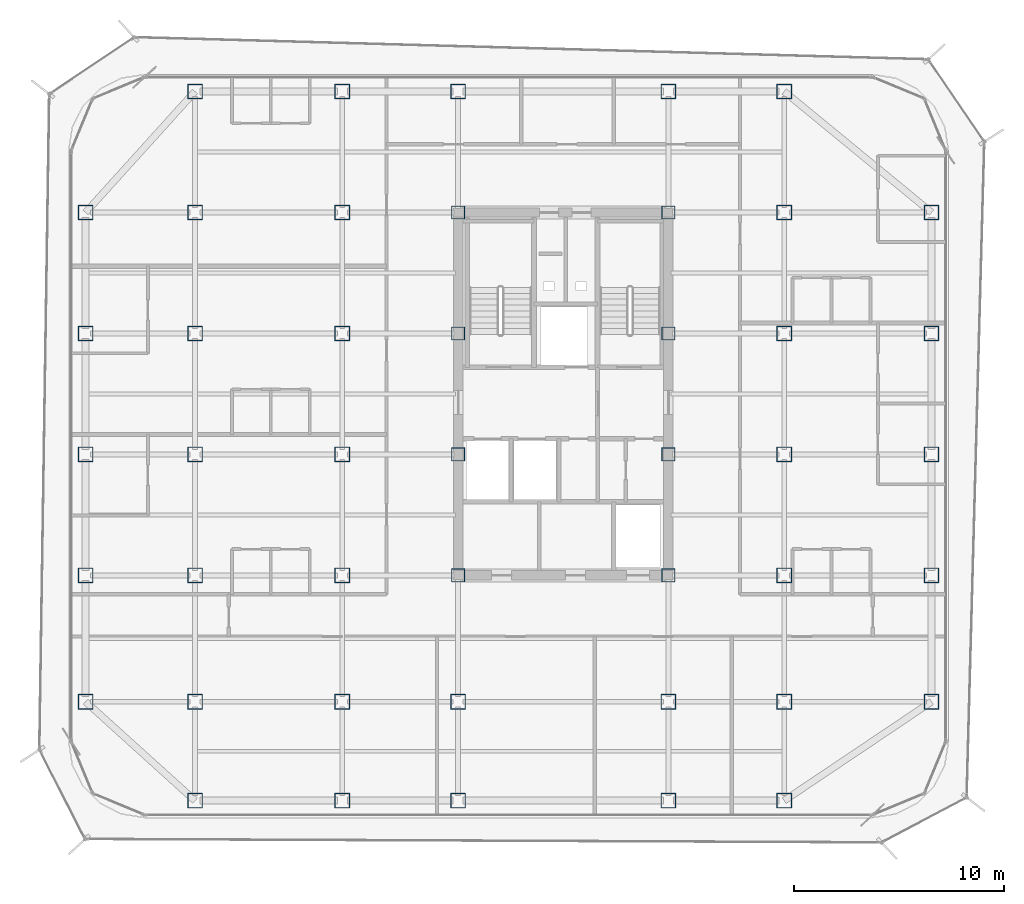
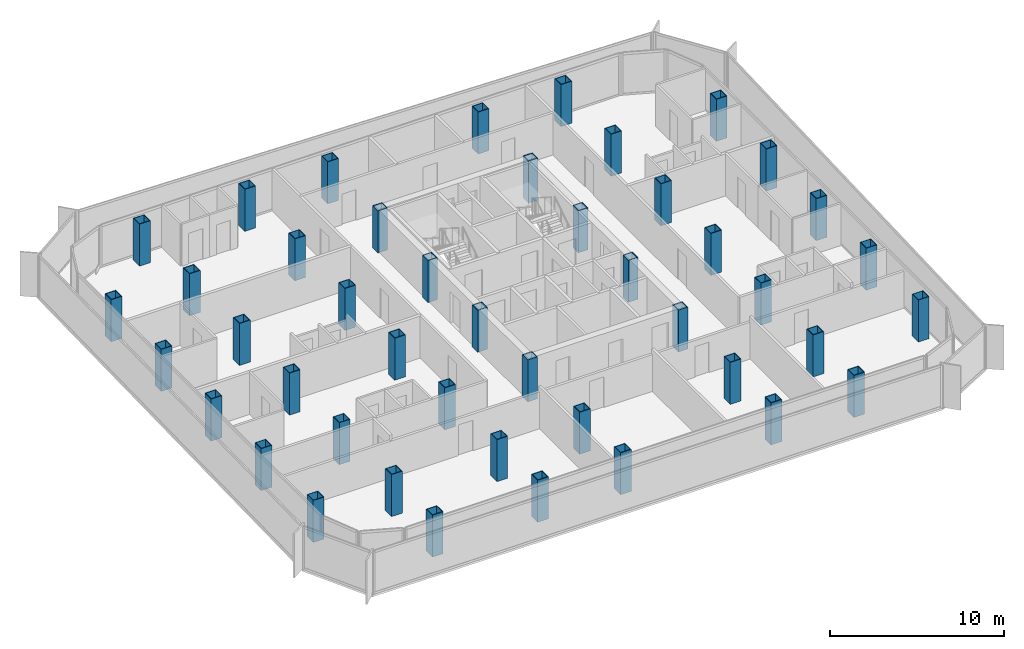
# One storey, part 1 of 15: 45 columns.
"""IFC4 building model written with IfcOpenShell, lengths in metres."""

from ifc_helpers import new_model, si_unit, direction, frame, origin, origin_2d, place, context, subcontext, project, spatial, hollow_rectangle, extrude, source, transform, mapped, material, material_profile, profile_set, type_object, element, save


model = new_model("IFC4")

# Units and contexts
model_context = context("Model", 3, precision=1e-05, world=origin(), true_north=direction((0.0, 1.0)))
body_context = subcontext(model_context, "Body", "Model", "MODEL_VIEW")
ifc_project = project(units=[si_unit("LENGTHUNIT", "METRE"), si_unit("AREAUNIT", "SQUARE_METRE"), si_unit("VOLUMEUNIT", "CUBIC_METRE"), si_unit("PLANEANGLEUNIT", "RADIAN"), si_unit("MASSUNIT", "GRAM", prefix="KILO")], contexts=[model_context])

# Site, building, storey
site_placement = place(None, origin())
site = spatial("IfcSite", under=ifc_project, at=site_placement, CompositionType="ELEMENT")
building_placement = place(site_placement, origin())
building = spatial("IfcBuilding", under=site, at=building_placement, Name="Kolveth Station Tower", CompositionType="ELEMENT")
storey_placement = place(building_placement, frame((0.0, 0.0, 193.199951171875)))
storey = spatial("IfcBuildingStorey", under=building, at=storey_placement, Name="L54", CompositionType="ELEMENT", Elevation=193.199951171875)

# Columns
ifc_material = material(Name="Steel S355", Category="steel")
ifc_material_profile_1 = material_profile(ifc_material, hollow_rectangle(XDim=0.719970703125, YDim=0.719970703125, WallThickness=0.0400390625, at=origin_2d()), Name="BOX720x720x40")
ifc_profile_set_1 = profile_set([ifc_material_profile_1], Name="Steel S355")
column_type_1 = type_object("IfcColumnType", Name="Col_C6", PredefinedType="COLUMN", material=ifc_profile_set_1)
shared_shape_1 = source(origin(), body_context, "Body", "SweptSolid", [
    extrude(hollow_rectangle(XDim=0.719970703125, YDim=0.719970703125, WallThickness=0.0400390625, at=origin_2d()), origin(), (0.0, 0.0, 1.0), 2.949951171875),
])
for number, where, z_axis, x_axis, name in (
    (1, (6.0, 0.800048828125, 0.0), (0.0, 0.0, 1.0), (1.0, 0.0, 0.0), "L54 Tower Column S-X60"),
    (2, (6.0, 34.5, 0.0), (0.0, 0.0, 1.0), (1.0, 0.0, 0.0), "L54 Tower Column N-X60"),
    (3, (13.0, 0.800048828125, 0.0), (0.0, 0.0, 1.0), (1.0, 0.0, 0.0), "L54 Tower Column S-X130"),
    (4, (13.0, 34.5, 0.0), (0.0, 0.0, 1.0), (1.0, 0.0, 0.0), "L54 Tower Column N-X130"),
    (5, (18.5, 0.800048828125, 0.0), (0.0, 0.0, 1.0), (1.0, 0.0, 0.0), "L54 Tower Column S-X185"),
    (6, (18.5, 34.5, 0.0), (0.0, 0.0, 1.0), (1.0, 0.0, 0.0), "L54 Tower Column N-X185"),
    (7, (28.5, 0.800048828125, 0.0), (0.0, 0.0, 1.0), (1.0, 0.0, 0.0), "L54 Tower Column S-X285"),
    (8, (28.5, 34.5, 0.0), (0.0, 0.0, 1.0), (1.0, 0.0, 0.0), "L54 Tower Column N-X285"),
    (9, (34.0, 0.800048828125, 0.0), (0.0, 0.0, 1.0), (1.0, 0.0, 0.0), "L54 Tower Column S-X340"),
    (10, (34.0, 34.5, 0.0), (0.0, 0.0, 1.0), (1.0, 0.0, 0.0), "L54 Tower Column N-X340"),
    (11, (0.800048828125, 5.5, 0.0), (0.0, 0.0, 1.0), (1.0, 0.0, 0.0), "L54 Tower Column W-Y55"),
    (12, (41.0, 5.5, 0.0), (0.0, 0.0, 1.0), (1.0, 0.0, 0.0), "L54 Tower Column E-Y55"),
    (13, (0.800048828125, 11.5, 0.0), (0.0, 0.0, 1.0), (1.0, 0.0, 0.0), "L54 Tower Column W-Y115"),
    (14, (41.0, 11.5, 0.0), (0.0, 0.0, 1.0), (1.0, 0.0, 0.0), "L54 Tower Column E-Y115"),
    (15, (0.800048828125, 17.25, 0.0), (0.0, 0.0, 1.0), (1.0, 0.0, 0.0), "L54 Tower Column W-Y172"),
    (16, (41.0, 17.25, 0.0), (0.0, 0.0, 1.0), (1.0, 0.0, 0.0), "L54 Tower Column E-Y172"),
    (17, (0.800048828125, 23.0, 0.0), (0.0, 0.0, 1.0), (1.0, 0.0, 0.0), "L54 Tower Column W-Y230"),
    (18, (41.0, 23.0, 0.0), (0.0, 0.0, 1.0), (1.0, 0.0, 0.0), "L54 Tower Column E-Y230"),
    (19, (0.800048828125, 28.75, 0.0), (0.0, 0.0, 1.0), (1.0, 0.0, 0.0), "L54 Tower Column W-Y287"),
    (20, (41.0, 28.75, 0.0), (0.0, 0.0, 1.0), (1.0, 0.0, 0.0), "L54 Tower Column E-Y287"),
    (21, (6.0, 5.5, 0.0), (0.0, 0.0, 1.0), (1.0, 0.0, 0.0), "L54 Tower Column G-60-55"),
    (22, (6.0, 11.5, 0.0), (0.0, 0.0, 1.0), (1.0, 0.0, 0.0), "L54 Tower Column G-60-115"),
    (23, (6.0, 17.25, 0.0), (0.0, 0.0, 1.0), (1.0, 0.0, 0.0), "L54 Tower Column G-60-172"),
    (24, (6.0, 23.0, 0.0), (0.0, 0.0, 1.0), (1.0, 0.0, 0.0), "L54 Tower Column G-60-230"),
    (25, (6.0, 28.75, 0.0), (0.0, 0.0, 1.0), (1.0, 0.0, 0.0), "L54 Tower Column G-60-287"),
    (26, (13.0, 5.5, 0.0), (0.0, 0.0, 1.0), (1.0, 0.0, 0.0), "L54 Tower Column G-130-55"),
    (27, (13.0, 11.5, 0.0), (0.0, 0.0, 1.0), (1.0, 0.0, 0.0), "L54 Tower Column G-130-115"),
    (28, (13.0, 17.25, 0.0), (0.0, 0.0, 1.0), (1.0, 0.0, 0.0), "L54 Tower Column G-130-172"),
    (29, (13.0, 23.0, 0.0), (0.0, 0.0, 1.0), (1.0, 0.0, 0.0), "L54 Tower Column G-130-230"),
    (30, (13.0, 28.75, 0.0), (0.0, 0.0, 1.0), (1.0, 0.0, 0.0), "L54 Tower Column G-130-287"),
    (31, (18.5, 5.5, 0.0), (0.0, 0.0, 1.0), (1.0, 0.0, 0.0), "L54 Tower Column G-185-55"),
    (32, (28.5, 5.5, 0.0), (0.0, 0.0, 1.0), (1.0, 0.0, 0.0), "L54 Tower Column G-285-55"),
    (33, (34.0, 5.5, 0.0), (0.0, 0.0, 1.0), (1.0, 0.0, 0.0), "L54 Tower Column G-340-55"),
    (34, (34.0, 11.5, 0.0), (0.0, 0.0, 1.0), (1.0, 0.0, 0.0), "L54 Tower Column G-340-115"),
    (35, (34.0, 17.25, 0.0), (0.0, 0.0, 1.0), (1.0, 0.0, 0.0), "L54 Tower Column G-340-172"),
    (36, (34.0, 23.0, 0.0), (0.0, 0.0, 1.0), (1.0, 0.0, 0.0), "L54 Tower Column G-340-230"),
    (37, (34.0, 28.75, 0.0), (0.0, 0.0, 1.0), (1.0, 0.0, 0.0), "L54 Tower Column G-340-287"),
):
    element("IfcColumn", number, at=place(storey_placement, frame(where, z_axis=z_axis, x_axis=x_axis)), inside=storey, type_object=column_type_1, Name=name, PredefinedType="COLUMN", context=body_context, shape_type="MappedRepresentation", body=[
        mapped(shared_shape_1, transform((0.0, 0.0, 0.0), x_axis=(1.0, 0.0, 0.0), y_axis=(0.0, 1.0, 0.0), z_axis=(0.0, 0.0, 1.0), scale=1.0)),
    ])
ifc_material_profile_2 = material_profile(ifc_material, hollow_rectangle(XDim=0.639892578125, YDim=0.639892578125, WallThickness=0.034912109375, at=origin_2d()), Name="BOX640x640x35")
ifc_profile_set_2 = profile_set([ifc_material_profile_2], Name="Steel S355")
column_type_2 = type_object("IfcColumnType", Name="Col_C7", PredefinedType="COLUMN", material=ifc_profile_set_2)
shared_shape_2 = source(origin(), body_context, "Body", "SweptSolid", [
    extrude(hollow_rectangle(XDim=0.639892578125, YDim=0.639892578125, WallThickness=0.034912109375, at=origin_2d()), origin(), (0.0, 0.0, 1.0), 2.949951171875),
])
for number, where, z_axis, x_axis, name in (
    (38, (18.5, 11.5, 0.0), (0.0, 0.0, 1.0), (1.0, 0.0, 0.0), "L54 Tower Column G-185-115"),
    (39, (18.5, 17.25, 0.0), (0.0, 0.0, 1.0), (1.0, 0.0, 0.0), "L54 Tower Column G-185-172"),
    (40, (18.5, 23.0, 0.0), (0.0, 0.0, 1.0), (1.0, 0.0, 0.0), "L54 Tower Column G-185-230"),
    (41, (18.5, 28.75, 0.0), (0.0, 0.0, 1.0), (1.0, 0.0, 0.0), "L54 Tower Column G-185-287"),
    (42, (28.5, 11.5, 0.0), (0.0, 0.0, 1.0), (1.0, 0.0, 0.0), "L54 Tower Column G-285-115"),
    (43, (28.5, 17.25, 0.0), (0.0, 0.0, 1.0), (1.0, 0.0, 0.0), "L54 Tower Column G-285-172"),
    (44, (28.5, 23.0, 0.0), (0.0, 0.0, 1.0), (1.0, 0.0, 0.0), "L54 Tower Column G-285-230"),
    (45, (28.5, 28.75, 0.0), (0.0, 0.0, 1.0), (1.0, 0.0, 0.0), "L54 Tower Column G-285-287"),
):
    element("IfcColumn", number, at=place(storey_placement, frame(where, z_axis=z_axis, x_axis=x_axis)), inside=storey, type_object=column_type_2, Name=name, PredefinedType="COLUMN", context=body_context, shape_type="MappedRepresentation", body=[
        mapped(shared_shape_2, transform((0.0, 0.0, 0.0), x_axis=(1.0, 0.0, 0.0), y_axis=(0.0, 1.0, 0.0), z_axis=(0.0, 0.0, 1.0), scale=1.0)),
    ])

save(model, "model.ifc")
